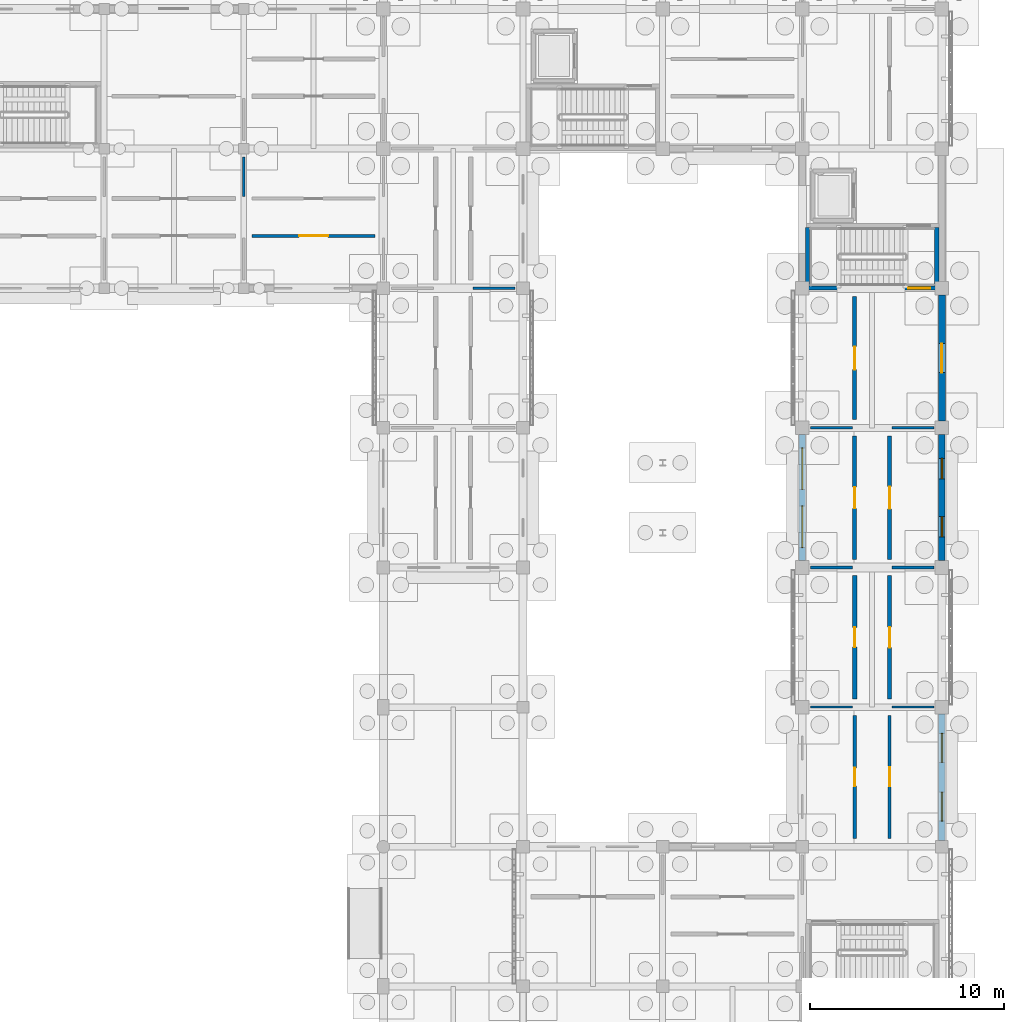
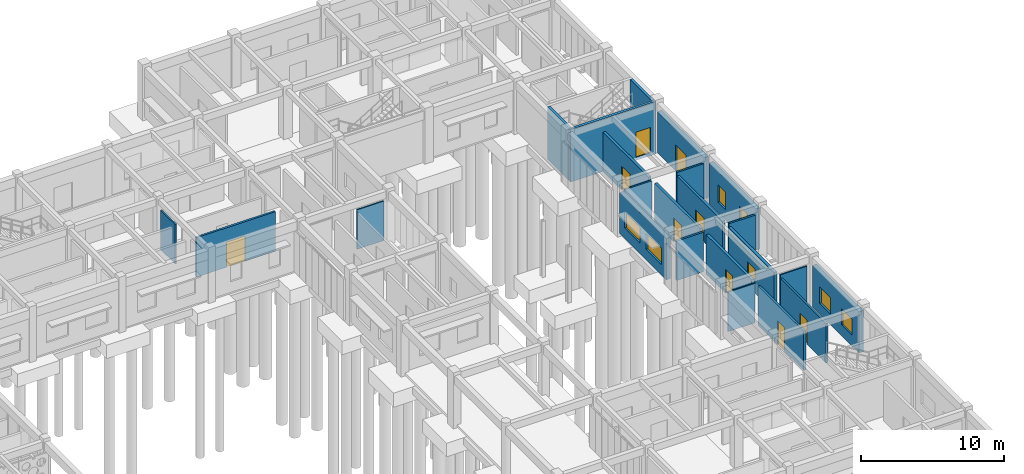
# One storey, part 81 of 111: 23 walls, 10 doors, 6 windows, 16 openings.
"""IFC4 building model written with IfcOpenShell, lengths in metres."""

from ifc_helpers import new_model, si_unit, direction, frame, frame_2d, origin, place, context, subcontext, project, spatial, rectangle, extrude, material, layer, layer_set, type_object, element, fill, save


model = new_model("IFC4")

# Units and contexts
model_context = context("Model", 3, precision=1e-05, world=origin(), true_north=direction((0.0, 1.0)))
body_context = subcontext(model_context, "Body", "Model", "MODEL_VIEW")
ifc_project = project(units=[si_unit("LENGTHUNIT", "METRE"), si_unit("AREAUNIT", "SQUARE_METRE"), si_unit("VOLUMEUNIT", "CUBIC_METRE"), si_unit("PLANEANGLEUNIT", "RADIAN"), si_unit("MASSUNIT", "GRAM", prefix="KILO")], contexts=[model_context])

# Site, building, storey
site_placement = place(None, origin())
site = spatial("IfcSite", under=ifc_project, at=site_placement, CompositionType="ELEMENT")
building_placement = place(site_placement, origin())
building = spatial("IfcBuilding", under=site, at=building_placement, Name="Aldebral Square Health Centre", CompositionType="ELEMENT")
storey_placement = place(building_placement, origin())
storey = spatial("IfcBuildingStorey", under=building, at=storey_placement, Name="L00", CompositionType="ELEMENT", Elevation=0.0)

# Wall, openings, windows
ifc_material_1 = material(Name="Cream cantera stone and concrete wall C35/45", Category="masonry")
ifc_layer_1 = layer(ifc_material_1, 0.340087890625, Name="Cream cantera stone and concrete wall C35/45", Category="masonry")
ifc_layer_set_1 = layer_set([ifc_layer_1], Name="Cream cantera stone and concrete wall C35/45")
wall_type_1 = type_object("IfcWallType", Name="EW-CAN-340", PredefinedType="SOLIDWALL", material=ifc_layer_set_1)
wall_1_placement = place(storey_placement, frame((165.60009765625, 65.125, 0.0), z_axis=(0.0, 0.0, 1.0), x_axis=(0.0, 1.0, 0.0)))
wall_1 = element("IfcWall", 1, at=wall_1_placement, inside=storey, type_object=wall_type_1, Name="L00 V5 exterior wall L00-V5-22-09-E", PredefinedType="SOLIDWALL", context=body_context, shape_type="SweptSolid", body=[
    extrude(rectangle(XDim=6.52490234375, YDim=0.340087890625, at=frame_2d((3.262451171875, 0.0))), origin(), (0.0, 0.0, 1.0), 3.52001953125),
])
opening_1_placement = place(wall_1_placement, frame((1.0, 0.0, 0.89990234375)))
opening_1 = element("IfcOpeningElement", 2, at=opening_1_placement, cuts=wall_1, Name="Opening W14", PredefinedType="OPENING", context=body_context, shape_type="SweptSolid", body=[
    extrude(rectangle(XDim=1.5, YDim=1.3798828125, at=frame_2d((0.75, 0.68994140625))), frame((0.0, 0.18017578125, 0.0), z_axis=(0.0, -1.0, 0.0), x_axis=(1.0, 0.0, 0.0)), (0.0, 0.0, 1.0), 0.360107421875),
])
opening_2_placement = place(wall_1_placement, frame((4.02490234375, 0.0, 0.89990234375)))
opening_2 = element("IfcOpeningElement", 3, at=opening_2_placement, cuts=wall_1, Name="Opening W14", PredefinedType="OPENING", context=body_context, shape_type="SweptSolid", body=[
    extrude(rectangle(XDim=1.5, YDim=1.3798828125, at=frame_2d((0.75, 0.68994140625))), frame((0.0, 0.18017578125, 0.0), z_axis=(0.0, -1.0, 0.0), x_axis=(1.0, 0.0, 0.0)), (0.0, 0.0, 1.0), 0.360107421875),
])
ifc_material_2 = material(Name="Thermally broken aluminium and low-E glass", Category="aluminium")
window_type_1 = type_object("IfcWindowType", Name="WIN-W14", PartitioningType="SINGLE_PANEL", PredefinedType="WINDOW", material=ifc_material_2)
window_1_placement = place(opening_1_placement, origin())
window_1 = element("IfcWindow", 4, at=window_1_placement, inside=storey, type_object=window_type_1, Name="L00 clinical window L00-V5-22-09-E.1", OverallHeight=1.3798828125, OverallWidth=1.5, PartitioningType="SINGLE_PANEL", PredefinedType="WINDOW", context=body_context, shape_type="SweptSolid", body=[
    extrude(rectangle(XDim=1.5, YDim=1.3798828125, at=frame_2d((0.75, 0.68994140625))), frame((0.0, 0.030029296875, 0.0), z_axis=(0.0, -1.0, 0.0), x_axis=(1.0, 0.0, 0.0)), (0.0, 0.0, 1.0), 0.06005859375),
])
fill(opening_1, window_1)
window_2_placement = place(opening_2_placement, origin())
window_2 = element("IfcWindow", 5, at=window_2_placement, inside=storey, type_object=window_type_1, Name="L00 clinical window L00-V5-22-09-E.2", OverallHeight=1.3798828125, OverallWidth=1.5, PartitioningType="SINGLE_PANEL", PredefinedType="WINDOW", context=body_context, shape_type="SweptSolid", body=[
    extrude(rectangle(XDim=1.5, YDim=1.3798828125, at=frame_2d((0.75, 0.68994140625))), frame((0.0, 0.030029296875, 0.0), z_axis=(0.0, -1.0, 0.0), x_axis=(1.0, 0.0, 0.0)), (0.0, 0.0, 1.0), 0.06005859375),
])
fill(opening_2, window_2)

wall_2_placement = place(storey_placement, frame((158.39990234375, 86.050048828125, 0.0), z_axis=(0.0, 0.0, 1.0), x_axis=(0.0, -1.0, 0.0)))
wall_2 = element("IfcWall", 6, at=wall_2_placement, inside=storey, type_object=wall_type_1, Name="L00 V5 exterior wall L00-V5-22-11-W", PredefinedType="SOLIDWALL", context=body_context, shape_type="SweptSolid", body=[
    extrude(rectangle(XDim=6.5, YDim=0.340087890625, at=frame_2d((3.25, 0.0))), origin(), (0.0, 0.0, 1.0), 3.52001953125),
])
opening_3_placement = place(wall_2_placement, frame((0.675048828125, 0.0, 0.89990234375)))
opening_3 = element("IfcOpeningElement", 7, at=opening_3_placement, cuts=wall_2, Name="Opening W18", PredefinedType="OPENING", context=body_context, shape_type="SweptSolid", body=[
    extrude(rectangle(XDim=2.14990234375, YDim=1.3798828125, at=frame_2d((1.074951171875, 0.68994140625))), frame((0.0, 0.18017578125, 0.0), z_axis=(0.0, -1.0, 0.0), x_axis=(1.0, 0.0, 0.0)), (0.0, 0.0, 1.0), 0.360107421875),
])
opening_4_placement = place(wall_2_placement, frame((3.675048828125, 0.0, 0.89990234375)))
opening_4 = element("IfcOpeningElement", 8, at=opening_4_placement, cuts=wall_2, Name="Opening W18", PredefinedType="OPENING", context=body_context, shape_type="SweptSolid", body=[
    extrude(rectangle(XDim=2.14990234375, YDim=1.3798828125, at=frame_2d((1.074951171875, 0.68994140625))), frame((0.0, 0.18017578125, 0.0), z_axis=(0.0, -1.0, 0.0), x_axis=(1.0, 0.0, 0.0)), (0.0, 0.0, 1.0), 0.360107421875),
])
window_type_2 = type_object("IfcWindowType", Name="WIN-W18", PartitioningType="SINGLE_PANEL", PredefinedType="WINDOW", material=ifc_material_2)
window_3_placement = place(opening_3_placement, origin())
window_3 = element("IfcWindow", 9, at=window_3_placement, inside=storey, type_object=window_type_2, Name="L00 clinical window L00-V5-22-11-W.1", OverallHeight=1.3798828125, OverallWidth=2.14990234375, PartitioningType="SINGLE_PANEL", PredefinedType="WINDOW", context=body_context, shape_type="SweptSolid", body=[
    extrude(rectangle(XDim=2.14990234375, YDim=1.3798828125, at=frame_2d((1.074951171875, 0.68994140625))), frame((0.0, 0.030029296875, 0.0), z_axis=(0.0, -1.0, 0.0), x_axis=(1.0, 0.0, 0.0)), (0.0, 0.0, 1.0), 0.06005859375),
])
fill(opening_3, window_3)
window_4_placement = place(opening_4_placement, origin())
window_4 = element("IfcWindow", 10, at=window_4_placement, inside=storey, type_object=window_type_2, Name="L00 clinical window L00-V5-22-11-W.2", OverallHeight=1.3798828125, OverallWidth=2.14990234375, PartitioningType="SINGLE_PANEL", PredefinedType="WINDOW", context=body_context, shape_type="SweptSolid", body=[
    extrude(rectangle(XDim=2.14990234375, YDim=1.3798828125, at=frame_2d((1.074951171875, 0.68994140625))), frame((0.0, 0.030029296875, 0.0), z_axis=(0.0, -1.0, 0.0), x_axis=(1.0, 0.0, 0.0)), (0.0, 0.0, 1.0), 0.06005859375),
])
fill(opening_4, window_4)

wall_3_placement = place(storey_placement, frame((165.60009765625, 79.550048828125, 0.0), z_axis=(0.0, 0.0, 1.0), x_axis=(0.0, 1.0, 0.0)))
wall_3 = element("IfcWall", 11, at=wall_3_placement, inside=storey, type_object=wall_type_1, Name="L00 V5 exterior wall L00-V5-22-11-E", PredefinedType="SOLIDWALL", context=body_context, shape_type="SweptSolid", body=[
    extrude(rectangle(XDim=6.5, YDim=0.340087890625, at=frame_2d((3.25, 0.0))), origin(), (0.0, 0.0, 1.0), 3.52001953125),
])
opening_5_placement = place(wall_3_placement, frame((1.22509765625, 0.0, 0.89990234375)))
opening_5 = element("IfcOpeningElement", 12, at=opening_5_placement, cuts=wall_3, Name="Opening W20", PredefinedType="OPENING", context=body_context, shape_type="SweptSolid", body=[
    extrude(rectangle(XDim=1.050048828125, YDim=1.5, at=frame_2d((0.52490234375, 0.75))), frame((0.0, 0.18017578125, 0.0), z_axis=(0.0, -1.0, 0.0), x_axis=(1.0, 0.0, 0.0)), (0.0, 0.0, 1.0), 0.360107421875),
])
opening_6_placement = place(wall_3_placement, frame((4.22509765625, 0.0, 0.89990234375)))
opening_6 = element("IfcOpeningElement", 13, at=opening_6_placement, cuts=wall_3, Name="Opening W20", PredefinedType="OPENING", context=body_context, shape_type="SweptSolid", body=[
    extrude(rectangle(XDim=1.050048828125, YDim=1.5, at=frame_2d((0.52490234375, 0.75))), frame((0.0, 0.18017578125, 0.0), z_axis=(0.0, -1.0, 0.0), x_axis=(1.0, 0.0, 0.0)), (0.0, 0.0, 1.0), 0.360107421875),
])
window_type_3 = type_object("IfcWindowType", Name="WIN-W20", PartitioningType="SINGLE_PANEL", PredefinedType="WINDOW", material=ifc_material_2)
window_5_placement = place(opening_5_placement, origin())
window_5 = element("IfcWindow", 14, at=window_5_placement, inside=storey, type_object=window_type_3, Name="L00 clinical window L00-V5-22-11-E.1", OverallHeight=1.5, OverallWidth=1.050048828125, PartitioningType="SINGLE_PANEL", PredefinedType="WINDOW", context=body_context, shape_type="SweptSolid", body=[
    extrude(rectangle(XDim=1.050048828125, YDim=1.5, at=frame_2d((0.52490234375, 0.75))), frame((0.0, 0.030029296875, 0.0), z_axis=(0.0, -1.0, 0.0), x_axis=(1.0, 0.0, 0.0)), (0.0, 0.0, 1.0), 0.06005859375),
])
fill(opening_5, window_5)
window_6_placement = place(opening_6_placement, origin())
window_6 = element("IfcWindow", 15, at=window_6_placement, inside=storey, type_object=window_type_3, Name="L00 clinical window L00-V5-22-11-E.2", OverallHeight=1.5, OverallWidth=1.050048828125, PartitioningType="SINGLE_PANEL", PredefinedType="WINDOW", context=body_context, shape_type="SweptSolid", body=[
    extrude(rectangle(XDim=1.050048828125, YDim=1.5, at=frame_2d((0.52490234375, 0.75))), frame((0.0, 0.030029296875, 0.0), z_axis=(0.0, -1.0, 0.0), x_axis=(1.0, 0.0, 0.0)), (0.0, 0.0, 1.0), 0.06005859375),
])
fill(opening_6, window_6)

# Wall, opening, door
ifc_layer_2 = layer(ifc_material_1, 0.360107421875, Name="Cream cantera stone and concrete wall C35/45", Category="masonry")
ifc_layer_set_2 = layer_set([ifc_layer_2], Name="Cream cantera stone and concrete wall C35/45")
wall_type_2 = type_object("IfcWallType", Name="EW-CAN-360", PredefinedType="SOLIDWALL", material=ifc_layer_set_2)
wall_4_placement = place(storey_placement, frame((165.60009765625, 93.25, 0.0), z_axis=(0.0, 0.0, 1.0), x_axis=(0.0, -1.0, 0.0)))
wall_4 = element("IfcWall", 16, at=wall_4_placement, inside=storey, type_object=wall_type_2, Name="L00 V5 exterior wall L00-V5-22-12-E", PredefinedType="SOLIDWALL", context=body_context, shape_type="SweptSolid", body=[
    extrude(rectangle(XDim=6.5, YDim=0.360107421875, at=frame_2d((3.25, 0.0))), origin(), (0.0, 0.0, 1.0), 3.52001953125),
])
opening_7_placement = place(wall_4_placement, frame((2.5, 0.0, 0.0)))
opening_7 = element("IfcOpeningElement", 17, at=opening_7_placement, cuts=wall_4, Name="Opening D-EX07", PredefinedType="OPENING", context=body_context, shape_type="SweptSolid", body=[
    extrude(rectangle(XDim=1.5, YDim=2.199951171875, at=frame_2d((0.75, 1.10009765625))), frame((0.0, 0.18994140625, 0.0), z_axis=(0.0, -1.0, 0.0), x_axis=(1.0, 0.0, 0.0)), (0.0, 0.0, 1.0), 0.380126953125),
])
ifc_material_3 = material(Name="Anodised aluminium and laminated safety glass", Category="aluminium")
door_type_1 = type_object("IfcDoorType", Name="DR-EX-150", OperationType="DOUBLE_DOOR_SINGLE_SWING", PredefinedType="DOOR", material=ifc_material_3)
door_1_placement = place(opening_7_placement, origin())
door_1 = element("IfcDoor", 18, at=door_1_placement, inside=storey, type_object=door_type_1, Name="L00 exterior door D-EX07", OperationType="DOUBLE_DOOR_SINGLE_SWING", OverallHeight=2.199951171875, OverallWidth=1.5, PredefinedType="DOOR", context=body_context, shape_type="SweptSolid", body=[
    extrude(rectangle(XDim=1.5, YDim=2.199951171875, at=frame_2d((0.75, 1.10009765625))), frame((0.0, 0.02490234375, 0.0), z_axis=(0.0, -1.0, 0.0), x_axis=(1.0, 0.0, 0.0)), (0.0, 0.0, 1.0), 0.050048828125),
])
fill(opening_7, door_1)

ifc_material_4 = material(Name="Concrete C35/45 compartment wall", Category="concrete")
ifc_layer_3 = layer(ifc_material_4, 0.199951171875, Name="Concrete C35/45 compartment wall", Category="concrete")
ifc_layer_set_3 = layer_set([ifc_layer_3], Name="Concrete C35/45 compartment wall")
wall_type_3 = type_object("IfcWallType", Name="IW-CMP-200", PredefinedType="SOLIDWALL", material=ifc_layer_set_3)
wall_5_placement = place(storey_placement, frame((161.10009765625, 79.6201171875, 0.0), z_axis=(0.0, 0.0, 1.0), x_axis=(0.0, 1.0, 0.0)))
wall_5 = element("IfcWall", 19, at=wall_5_placement, inside=storey, type_object=wall_type_3, Name="L00 Medical Records Archive 23.12W corridor wall", PredefinedType="SOLIDWALL", context=body_context, shape_type="SweptSolid", body=[
    extrude(rectangle(XDim=6.35986328125, YDim=0.199951171875, at=frame_2d((3.179931640625, 0.0))), origin(), (0.0, 0.0, 1.0), 3.360107421875),
])
opening_8_placement = place(wall_5_placement, frame((2.6298828125, 0.0, 0.0)))
opening_8 = element("IfcOpeningElement", 20, at=opening_8_placement, cuts=wall_5, Name="Opening D-0158", PredefinedType="OPENING", context=body_context, shape_type="SweptSolid", body=[
    extrude(rectangle(XDim=1.10009765625, YDim=2.0400390625, at=frame_2d((0.550048828125, 1.02001953125))), frame((0.0, 0.10986328125, 0.0), z_axis=(0.0, -1.0, 0.0), x_axis=(1.0, 0.0, 0.0)), (0.0, 0.0, 1.0), 0.219970703125),
])
ifc_material_5 = material(Name="Clinical suite fire door")
door_type_2 = type_object("IfcDoorType", Name="ID-EXD-05", OperationType="NOTDEFINED", PredefinedType="DOOR", material=ifc_material_5)
door_2_placement = place(opening_8_placement, origin())
door_2 = element("IfcDoor", 21, at=door_2_placement, inside=storey, type_object=door_type_2, Name="L00 Medical Records Archive 23.12W door", OperationType="SINGLE_SWING_LEFT", OverallHeight=2.0400390625, OverallWidth=1.10009765625, PredefinedType="DOOR", context=body_context, shape_type="SweptSolid", body=[
    extrude(rectangle(XDim=1.10009765625, YDim=2.0400390625, at=frame_2d((0.550048828125, 1.02001953125))), frame((0.0, 0.02490234375, 0.0), z_axis=(0.0, -1.0, 0.0), x_axis=(1.0, 0.0, 0.0)), (0.0, 0.0, 1.0), 0.050048828125),
])
fill(opening_8, door_2)

wall_6_placement = place(storey_placement, frame((162.89990234375, 79.6201171875, 0.0), z_axis=(0.0, 0.0, 1.0), x_axis=(0.0, 1.0, 0.0)))
wall_6 = element("IfcWall", 22, at=wall_6_placement, inside=storey, type_object=wall_type_3, Name="L00 Standby Power Plant Room 23.12E corridor wall", PredefinedType="SOLIDWALL", context=body_context, shape_type="SweptSolid", body=[
    extrude(rectangle(XDim=6.35986328125, YDim=0.199951171875, at=frame_2d((3.179931640625, 0.0))), origin(), (0.0, 0.0, 1.0), 3.360107421875),
])
opening_9_placement = place(wall_6_placement, frame((2.610107421875, 0.0, 0.0)))
opening_9 = element("IfcOpeningElement", 23, at=opening_9_placement, cuts=wall_6, Name="Opening D-0159", PredefinedType="OPENING", context=body_context, shape_type="SweptSolid", body=[
    extrude(rectangle(XDim=1.139892578125, YDim=2.0400390625, at=frame_2d((0.56982421875, 1.02001953125))), frame((0.0, 0.10986328125, 0.0), z_axis=(0.0, -1.0, 0.0), x_axis=(1.0, 0.0, 0.0)), (0.0, 0.0, 1.0), 0.219970703125),
])
door_type_3 = type_object("IfcDoorType", Name="ID-EXD-06", OperationType="NOTDEFINED", PredefinedType="DOOR", material=ifc_material_5)
door_3_placement = place(opening_9_placement, origin())
door_3 = element("IfcDoor", 24, at=door_3_placement, inside=storey, type_object=door_type_3, Name="L00 Standby Power Plant Room 23.12E door", OperationType="SINGLE_SWING_RIGHT", OverallHeight=2.0400390625, OverallWidth=1.139892578125, PredefinedType="DOOR", context=body_context, shape_type="SweptSolid", body=[
    extrude(rectangle(XDim=1.139892578125, YDim=2.0400390625, at=frame_2d((0.56982421875, 1.02001953125))), frame((0.0, 0.02490234375, 0.0), z_axis=(0.0, -1.0, 0.0), x_axis=(1.0, 0.0, 0.0)), (0.0, 0.0, 1.0), 0.050048828125),
])
fill(opening_9, door_3)

ifc_layer_4 = layer(ifc_material_4, 0.219970703125, Name="Concrete C35/45 compartment wall", Category="concrete")
ifc_layer_set_4 = layer_set([ifc_layer_4], Name="Concrete C35/45 compartment wall")
wall_type_4 = type_object("IfcWallType", Name="IW-CMP-220", PredefinedType="SOLIDWALL", material=ifc_layer_set_4)
wall_7_placement = place(storey_placement, frame((161.10009765625, 72.419921875, 0.0), z_axis=(0.0, 0.0, 1.0), x_axis=(0.0, 1.0, 0.0)))
wall_7 = element("IfcWall", 25, at=wall_7_placement, inside=storey, type_object=wall_type_4, Name="L00 Lactation Counseling Room 23.11W corridor wall", PredefinedType="SOLIDWALL", context=body_context, shape_type="SweptSolid", body=[
    extrude(rectangle(XDim=6.360107421875, YDim=0.219970703125, at=frame_2d((3.18017578125, 0.0))), origin(), (0.0, 0.0, 1.0), 3.360107421875),
])
opening_10_placement = place(wall_7_placement, frame((2.669921875, 0.0, 0.0)))
opening_10 = element("IfcOpeningElement", 26, at=opening_10_placement, cuts=wall_7, Name="Opening D-0156", PredefinedType="OPENING", context=body_context, shape_type="SweptSolid", body=[
    extrude(rectangle(XDim=1.02001953125, YDim=2.0400390625, at=frame_2d((0.510009765625, 1.02001953125))), frame((0.0, 0.1201171875, 0.0), z_axis=(0.0, -1.0, 0.0), x_axis=(1.0, 0.0, 0.0)), (0.0, 0.0, 1.0), 0.239990234375),
])
door_type_4 = type_object("IfcDoorType", Name="ID-EXD-03", OperationType="NOTDEFINED", PredefinedType="DOOR", material=ifc_material_5)
door_4_placement = place(opening_10_placement, origin())
door_4 = element("IfcDoor", 27, at=door_4_placement, inside=storey, type_object=door_type_4, Name="L00 Lactation Counseling Room 23.11W door", OperationType="SINGLE_SWING_LEFT", OverallHeight=2.0400390625, OverallWidth=1.02001953125, PredefinedType="DOOR", context=body_context, shape_type="SweptSolid", body=[
    extrude(rectangle(XDim=1.02001953125, YDim=2.0400390625, at=frame_2d((0.510009765625, 1.02001953125))), frame((0.0, 0.02490234375, 0.0), z_axis=(0.0, -1.0, 0.0), x_axis=(1.0, 0.0, 0.0)), (0.0, 0.0, 1.0), 0.050048828125),
])
fill(opening_10, door_4)

wall_8_placement = place(storey_placement, frame((162.89990234375, 72.419921875, 0.0), z_axis=(0.0, 0.0, 1.0), x_axis=(0.0, 1.0, 0.0)))
wall_8 = element("IfcWall", 28, at=wall_8_placement, inside=storey, type_object=wall_type_4, Name="L00 Outpatient Blood Draw 23.11E corridor wall", PredefinedType="SOLIDWALL", context=body_context, shape_type="SweptSolid", body=[
    extrude(rectangle(XDim=6.360107421875, YDim=0.219970703125, at=frame_2d((3.18017578125, 0.0))), origin(), (0.0, 0.0, 1.0), 3.360107421875),
])
opening_11_placement = place(wall_8_placement, frame((2.64990234375, 0.0, 0.0)))
opening_11 = element("IfcOpeningElement", 29, at=opening_11_placement, cuts=wall_8, Name="Opening D-0157", PredefinedType="OPENING", context=body_context, shape_type="SweptSolid", body=[
    extrude(rectangle(XDim=1.06005859375, YDim=2.0400390625, at=frame_2d((0.530029296875, 1.02001953125))), frame((0.0, 0.1201171875, 0.0), z_axis=(0.0, -1.0, 0.0), x_axis=(1.0, 0.0, 0.0)), (0.0, 0.0, 1.0), 0.239990234375),
])
door_type_5 = type_object("IfcDoorType", Name="ID-EXD-04", OperationType="NOTDEFINED", PredefinedType="DOOR", material=ifc_material_5)
door_5_placement = place(opening_11_placement, origin())
door_5 = element("IfcDoor", 30, at=door_5_placement, inside=storey, type_object=door_type_5, Name="L00 Outpatient Blood Draw 23.11E door", OperationType="SINGLE_SWING_RIGHT", OverallHeight=2.0400390625, OverallWidth=1.06005859375, PredefinedType="DOOR", context=body_context, shape_type="SweptSolid", body=[
    extrude(rectangle(XDim=1.06005859375, YDim=2.0400390625, at=frame_2d((0.530029296875, 1.02001953125))), frame((0.0, 0.02490234375, 0.0), z_axis=(0.0, -1.0, 0.0), x_axis=(1.0, 0.0, 0.0)), (0.0, 0.0, 1.0), 0.050048828125),
])
fill(opening_11, door_5)

ifc_material_6 = material(Name="Fire-rated acoustic gypsum partition")
ifc_layer_5 = layer(ifc_material_6, 0.1650390625, Name="Fire-rated acoustic gypsum partition")
ifc_layer_set_5 = layer_set([ifc_layer_5], Name="Fire-rated acoustic gypsum partition")
wall_type_5 = type_object("IfcWallType", Name="IW-COR-165", PredefinedType="PARTITIONING", material=ifc_layer_set_5)
wall_9_placement = place(storey_placement, frame((130.02001953125, 96.300048828125, 0.0), z_axis=(0.0, 0.0, 1.0), x_axis=(1.0, 0.0, 0.0)))
wall_9 = element("IfcWall", 31, at=wall_9_placement, inside=storey, type_object=wall_type_5, Name="L00 Prenatal Ultrasound Room 19.14S corridor wall", PredefinedType="PARTITIONING", context=body_context, shape_type="SweptSolid", body=[
    extrude(rectangle(XDim=6.35986328125, YDim=0.1650390625, at=frame_2d((3.179931640625, 0.0))), origin(), (0.0, 0.0, 1.0), 3.360107421875),
])
opening_12_placement = place(wall_9_placement, frame((2.429931640625, 0.0, 0.0)))
opening_12 = element("IfcOpeningElement", 32, at=opening_12_placement, cuts=wall_9, Name="Opening D-0131", PredefinedType="OPENING", context=body_context, shape_type="SweptSolid", body=[
    extrude(rectangle(XDim=1.5, YDim=2.139892578125, at=frame_2d((0.75, 1.06982421875))), frame((0.0, 0.092529296875, 0.0), z_axis=(0.0, -1.0, 0.0), x_axis=(1.0, 0.0, 0.0)), (0.0, 0.0, 1.0), 0.18505859375),
])
door_type_6 = type_object("IfcDoorType", Name="ID-EXD-47", OperationType="NOTDEFINED", PredefinedType="DOOR", material=ifc_material_5)
door_6_placement = place(opening_12_placement, origin())
door_6 = element("IfcDoor", 33, at=door_6_placement, inside=storey, type_object=door_type_6, Name="L00 Prenatal Ultrasound Room 19.14S door", OperationType="SINGLE_SWING_RIGHT", OverallHeight=2.139892578125, OverallWidth=1.5, PredefinedType="DOOR", context=body_context, shape_type="SweptSolid", body=[
    extrude(rectangle(XDim=1.5, YDim=2.139892578125, at=frame_2d((0.75, 1.06982421875))), frame((0.0, 0.02490234375, 0.0), z_axis=(0.0, -1.0, 0.0), x_axis=(1.0, 0.0, 0.0)), (0.0, 0.0, 1.0), 0.050048828125),
])
fill(opening_12, door_6)

wall_10_placement = place(storey_placement, frame((161.10009765625, 65.219970703125, 0.0), z_axis=(0.0, 0.0, 1.0), x_axis=(0.0, 1.0, 0.0)))
wall_10 = element("IfcWall", 34, at=wall_10_placement, inside=storey, type_object=wall_type_5, Name="L00 Maternal-Child Clinic 23.10W corridor wall", PredefinedType="PARTITIONING", context=body_context, shape_type="SweptSolid", body=[
    extrude(rectangle(XDim=6.360107421875, YDim=0.1650390625, at=frame_2d((3.18017578125, 0.0))), origin(), (0.0, 0.0, 1.0), 3.360107421875),
])
opening_13_placement = place(wall_10_placement, frame((2.7099609375, 0.0, 0.0)))
opening_13 = element("IfcOpeningElement", 35, at=opening_13_placement, cuts=wall_10, Name="Opening D-0154", PredefinedType="OPENING", context=body_context, shape_type="SweptSolid", body=[
    extrude(rectangle(XDim=0.93994140625, YDim=2.0400390625, at=frame_2d((0.469970703125, 1.02001953125))), frame((0.0, 0.092529296875, 0.0), z_axis=(0.0, -1.0, 0.0), x_axis=(1.0, 0.0, 0.0)), (0.0, 0.0, 1.0), 0.18505859375),
])
door_type_7 = type_object("IfcDoorType", Name="ID-EXD-01", OperationType="NOTDEFINED", PredefinedType="DOOR", material=ifc_material_5)
door_7_placement = place(opening_13_placement, origin())
door_7 = element("IfcDoor", 36, at=door_7_placement, inside=storey, type_object=door_type_7, Name="L00 Maternal-Child Clinic 23.10W door", OperationType="SINGLE_SWING_LEFT", OverallHeight=2.0400390625, OverallWidth=0.93994140625, PredefinedType="DOOR", context=body_context, shape_type="SweptSolid", body=[
    extrude(rectangle(XDim=0.93994140625, YDim=2.0400390625, at=frame_2d((0.469970703125, 1.02001953125))), frame((0.0, 0.02490234375, 0.0), z_axis=(0.0, -1.0, 0.0), x_axis=(1.0, 0.0, 0.0)), (0.0, 0.0, 1.0), 0.050048828125),
])
fill(opening_13, door_7)

wall_11_placement = place(storey_placement, frame((162.89990234375, 65.219970703125, 0.0), z_axis=(0.0, 0.0, 1.0), x_axis=(0.0, 1.0, 0.0)))
wall_11 = element("IfcWall", 37, at=wall_11_placement, inside=storey, type_object=wall_type_5, Name="L00 Prenatal Ultrasound Room 23.10E corridor wall", PredefinedType="PARTITIONING", context=body_context, shape_type="SweptSolid", body=[
    extrude(rectangle(XDim=6.360107421875, YDim=0.1650390625, at=frame_2d((3.18017578125, 0.0))), origin(), (0.0, 0.0, 1.0), 3.360107421875),
])
opening_14_placement = place(wall_11_placement, frame((2.68994140625, 0.0, 0.0)))
opening_14 = element("IfcOpeningElement", 38, at=opening_14_placement, cuts=wall_11, Name="Opening D-0155", PredefinedType="OPENING", context=body_context, shape_type="SweptSolid", body=[
    extrude(rectangle(XDim=0.97998046875, YDim=2.0400390625, at=frame_2d((0.489990234375, 1.02001953125))), frame((0.0, 0.092529296875, 0.0), z_axis=(0.0, -1.0, 0.0), x_axis=(1.0, 0.0, 0.0)), (0.0, 0.0, 1.0), 0.18505859375),
])
door_type_8 = type_object("IfcDoorType", Name="ID-EXD-02", OperationType="NOTDEFINED", PredefinedType="DOOR", material=ifc_material_5)
door_8_placement = place(opening_14_placement, origin())
door_8 = element("IfcDoor", 39, at=door_8_placement, inside=storey, type_object=door_type_8, Name="L00 Prenatal Ultrasound Room 23.10E door", OperationType="SINGLE_SWING_RIGHT", OverallHeight=2.0400390625, OverallWidth=0.97998046875, PredefinedType="DOOR", context=body_context, shape_type="SweptSolid", body=[
    extrude(rectangle(XDim=0.97998046875, YDim=2.0400390625, at=frame_2d((0.489990234375, 1.02001953125))), frame((0.0, 0.02490234375, 0.0), z_axis=(0.0, -1.0, 0.0), x_axis=(1.0, 0.0, 0.0)), (0.0, 0.0, 1.0), 0.050048828125),
])
fill(opening_14, door_8)

ifc_material_7 = material(Name="Concrete C40/50", Category="concrete")
ifc_layer_6 = layer(ifc_material_7, 0.219970703125, Name="Concrete C40/50", Category="concrete")
ifc_layer_set_6 = layer_set([ifc_layer_6], Name="Concrete C40/50")
wall_type_6 = type_object("IfcWallType", Name="IW-CORE-280", PredefinedType="SHEAR", material=ifc_layer_set_6)
wall_12_placement = place(storey_placement, frame((158.56005859375, 93.610107421875, -0.25), z_axis=(0.0, 0.0, 1.0), x_axis=(1.0, 0.0, 0.0)))
wall_12 = element("IfcWall", 40, at=wall_12_placement, inside=storey, type_object=wall_type_6, Name="L00 WC-C3 shaft wall S", PredefinedType="SHEAR", context=body_context, shape_type="SweptSolid", body=[
    extrude(rectangle(XDim=6.8798828125, YDim=0.219970703125, at=frame_2d((3.43994140625, 0.0))), origin(), (0.0, 0.0, 1.0), 4.469970703125),
])
opening_15_placement = place(wall_12_placement, frame((5.300048828125, 0.0, 0.25)))
opening_15 = element("IfcOpeningElement", 41, at=opening_15_placement, cuts=wall_12, Name="Opening D-0032", PredefinedType="OPENING", context=body_context, shape_type="SweptSolid", body=[
    extrude(rectangle(XDim=1.14990234375, YDim=2.14990234375, at=frame_2d((0.574951171875, 1.074951171875))), frame((0.0, 0.1201171875, 0.0), z_axis=(0.0, -1.0, 0.0), x_axis=(1.0, 0.0, 0.0)), (0.0, 0.0, 1.0), 0.239990234375),
])
ifc_material_8 = material(Name="Fire-rated steel lobby stair door", Category="steel")
door_type_9 = type_object("IfcDoorType", Name="ID-ST-115", OperationType="NOTDEFINED", PredefinedType="DOOR", material=ifc_material_8)
door_9_placement = place(opening_15_placement, origin())
door_9 = element("IfcDoor", 42, at=door_9_placement, inside=storey, type_object=door_type_9, Name="L00 ST-03 south lobby fire door", OperationType="SINGLE_SWING_LEFT", OverallHeight=2.14990234375, OverallWidth=1.14990234375, PredefinedType="DOOR", context=body_context, shape_type="SweptSolid", body=[
    extrude(rectangle(XDim=1.14990234375, YDim=2.14990234375, at=frame_2d((0.574951171875, 1.074951171875))), frame((0.0, 0.02490234375, 0.0), z_axis=(0.0, -1.0, 0.0), x_axis=(1.0, 0.0, 0.0)), (0.0, 0.0, 1.0), 0.050048828125),
])
fill(opening_15, door_9)

# Walls
for number, where, z_axis, x_axis, name in (
    (43, (158.669921875, 93.719970703125, -0.25), (0.0, 0.0, 1.0), (0.0, 1.0, 0.0), "L00 WC-C3 shaft wall W"),
    (44, (165.330078125, 93.719970703125, -0.25), (0.0, 0.0, 1.0), (0.0, 1.0, 0.0), "L00 WC-C3 shaft wall E"),
):
    element("IfcWall", number, at=place(storey_placement, frame(where, z_axis=z_axis, x_axis=x_axis)), inside=storey, type_object=wall_type_6, Name=name, PredefinedType="SHEAR", context=body_context, shape_type="SweptSolid", body=[
        extrude(rectangle(XDim=3.0, YDim=0.219970703125, at=frame_2d((1.5, 0.0))), origin(), (0.0, 0.0, 1.0), 4.469970703125),
    ])

# Wall, opening, door
ifc_material_9 = material(Name="Moisture-resistant sanitary chase wall")
ifc_layer_7 = layer(ifc_material_9, 0.2099609375, Name="Moisture-resistant sanitary chase wall")
ifc_layer_set_7 = layer_set([ifc_layer_7], Name="Moisture-resistant sanitary chase wall")
wall_type_7 = type_object("IfcWallType", Name="IW-PLB-210", PredefinedType="PLUMBINGWALL", material=ifc_layer_set_7)
wall_13_placement = place(storey_placement, frame((161.10009765625, 86.820068359375, 0.0), z_axis=(0.0, 0.0, 1.0), x_axis=(0.0, 1.0, 0.0)))
wall_13 = element("IfcWall", 45, at=wall_13_placement, inside=storey, type_object=wall_type_7, Name="L00 Accessible WC 23.13W corridor wall", PredefinedType="PLUMBINGWALL", context=body_context, shape_type="SweptSolid", body=[
    extrude(rectangle(XDim=6.35986328125, YDim=0.2099609375, at=frame_2d((3.179931640625, 0.0))), origin(), (0.0, 0.0, 1.0), 3.360107421875),
])
opening_16_placement = place(wall_13_placement, frame((2.590087890625, 0.0, 0.0)))
opening_16 = element("IfcOpeningElement", 46, at=opening_16_placement, cuts=wall_13, Name="Opening D-0160", PredefinedType="OPENING", context=body_context, shape_type="SweptSolid", body=[
    extrude(rectangle(XDim=1.179931640625, YDim=2.0400390625, at=frame_2d((0.58984375, 1.02001953125))), frame((0.0, 0.114990234375, 0.0), z_axis=(0.0, -1.0, 0.0), x_axis=(1.0, 0.0, 0.0)), (0.0, 0.0, 1.0), 0.22998046875),
])
door_type_10 = type_object("IfcDoorType", Name="ID-EXD-07", OperationType="NOTDEFINED", PredefinedType="DOOR", material=ifc_material_5)
door_10_placement = place(opening_16_placement, origin())
door_10 = element("IfcDoor", 47, at=door_10_placement, inside=storey, type_object=door_type_10, Name="L00 Accessible WC 23.13W door", OperationType="SINGLE_SWING_LEFT", OverallHeight=2.0400390625, OverallWidth=1.179931640625, PredefinedType="DOOR", context=body_context, shape_type="SweptSolid", body=[
    extrude(rectangle(XDim=1.179931640625, YDim=2.0400390625, at=frame_2d((0.58984375, 1.02001953125))), frame((0.0, 0.02490234375, 0.0), z_axis=(0.0, -1.0, 0.0), x_axis=(1.0, 0.0, 0.0)), (0.0, 0.0, 1.0), 0.050048828125),
])
fill(opening_16, door_10)

# Walls
ifc_material_10 = material(Name="Lightweight clinical partition")
ifc_layer_8 = layer(ifc_material_10, 0.10498046875, Name="Lightweight clinical partition")
ifc_layer_set_8 = layer_set([ifc_layer_8], Name="Lightweight clinical partition")
wall_type_8 = type_object("IfcWallType", Name="IW-PRT-105", PredefinedType="PARTITIONING", material=ifc_layer_set_8)
wall_14_placement = place(storey_placement, frame((141.419921875, 93.60009765625, 0.0), z_axis=(0.0, 0.0, 1.0), x_axis=(1.0, 0.0, 0.0)))
element("IfcWall", 48, at=wall_14_placement, inside=storey, type_object=wall_type_8, Name="L00 Maternal-Child Clinic 20.13E demising partition", PredefinedType="PARTITIONING", context=body_context, shape_type="SweptSolid", body=[
    extrude(rectangle(XDim=2.16015625, YDim=0.10498046875, at=frame_2d((1.080078125, 0.0))), origin(), (0.0, 0.0, 1.0), 3.360107421875),
])
for number, where, z_axis, x_axis, name in (
    (49, (158.820068359375, 72.0, 0.0), (0.0, 0.0, 1.0), (1.0, 0.0, 0.0), "L00 Maternal-Child Clinic 23.10W demising partition"),
    (50, (163.02001953125, 72.0, 0.0), (0.0, 0.0, 1.0), (1.0, 0.0, 0.0), "L00 Prenatal Ultrasound Room 23.10E demising partition"),
):
    element("IfcWall", number, at=place(storey_placement, frame(where, z_axis=z_axis, x_axis=x_axis)), inside=storey, type_object=wall_type_8, Name=name, PredefinedType="PARTITIONING", context=body_context, shape_type="SweptSolid", body=[
        extrude(rectangle(XDim=2.159912109375, YDim=0.10498046875, at=frame_2d((1.080078125, 0.0))), origin(), (0.0, 0.0, 1.0), 3.360107421875),
    ])
ifc_material_11 = material(Name="Acoustic clinical gypsum partition")
ifc_layer_9 = layer(ifc_material_11, 0.1201171875, Name="Acoustic clinical gypsum partition")
ifc_layer_set_9 = layer_set([ifc_layer_9], Name="Acoustic clinical gypsum partition")
wall_type_9 = type_object("IfcWallType", Name="IW-PRT-120", PredefinedType="PARTITIONING", material=ifc_layer_set_9)
wall_15_placement = place(storey_placement, frame((129.60009765625, 98.340087890625, 0.0), z_axis=(0.0, 0.0, 1.0), x_axis=(0.0, 1.0, 0.0)))
element("IfcWall", 51, at=wall_15_placement, inside=storey, type_object=wall_type_9, Name="L00 Public Toilet 18.14N demising partition", PredefinedType="PARTITIONING", context=body_context, shape_type="SweptSolid", body=[
    extrude(rectangle(XDim=2.039794921875, YDim=0.1201171875, at=frame_2d((1.02001953125, 0.0))), origin(), (0.0, 0.0, 1.0), 3.360107421875),
])
ifc_layer_10 = layer(ifc_material_11, 0.135009765625, Name="Acoustic clinical gypsum partition")
ifc_layer_set_10 = layer_set([ifc_layer_10], Name="Acoustic clinical gypsum partition")
wall_type_10 = type_object("IfcWallType", Name="IW-PRT-135", PredefinedType="PARTITIONING", material=ifc_layer_set_10)
for number, where, z_axis, x_axis, name in (
    (52, (158.820068359375, 86.39990234375, 0.0), (0.0, 0.0, 1.0), (1.0, 0.0, 0.0), "L00 Medical Records Archive 23.12W demising partition"),
    (53, (163.02001953125, 86.39990234375, 0.0), (0.0, 0.0, 1.0), (1.0, 0.0, 0.0), "L00 Standby Power Plant Room 23.12E demising partition"),
):
    element("IfcWall", number, at=place(storey_placement, frame(where, z_axis=z_axis, x_axis=x_axis)), inside=storey, type_object=wall_type_10, Name=name, PredefinedType="PARTITIONING", context=body_context, shape_type="SweptSolid", body=[
        extrude(rectangle(XDim=2.159912109375, YDim=0.135009765625, at=frame_2d((1.080078125, 0.0))), origin(), (0.0, 0.0, 1.0), 3.360107421875),
    ])
ifc_layer_11 = layer(ifc_material_11, 0.14990234375, Name="Acoustic clinical gypsum partition")
ifc_layer_set_11 = layer_set([ifc_layer_11], Name="Acoustic clinical gypsum partition")
wall_type_11 = type_object("IfcWallType", Name="IW-PRT-150", PredefinedType="PARTITIONING", material=ifc_layer_set_11)
for number, where, z_axis, x_axis, name in (
    (54, (158.820068359375, 79.199951171875, 0.0), (0.0, 0.0, 1.0), (1.0, 0.0, 0.0), "L00 Lactation Counseling Room 23.11W demising partition"),
    (55, (163.02001953125, 79.199951171875, 0.0), (0.0, 0.0, 1.0), (1.0, 0.0, 0.0), "L00 Outpatient Blood Draw 23.11E demising partition"),
):
    element("IfcWall", number, at=place(storey_placement, frame(where, z_axis=z_axis, x_axis=x_axis)), inside=storey, type_object=wall_type_11, Name=name, PredefinedType="PARTITIONING", context=body_context, shape_type="SweptSolid", body=[
        extrude(rectangle(XDim=2.159912109375, YDim=0.14990234375, at=frame_2d((1.080078125, 0.0))), origin(), (0.0, 0.0, 1.0), 3.360107421875),
    ])

save(model, "model.ifc")
